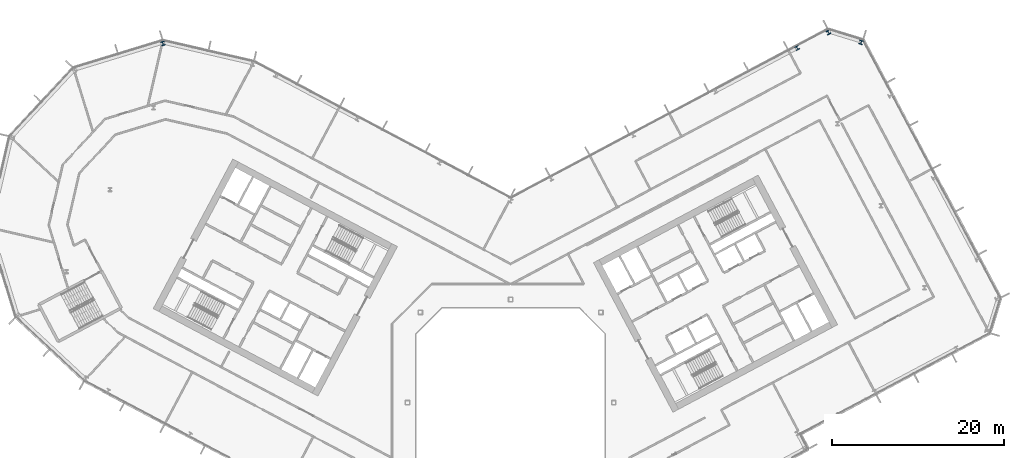
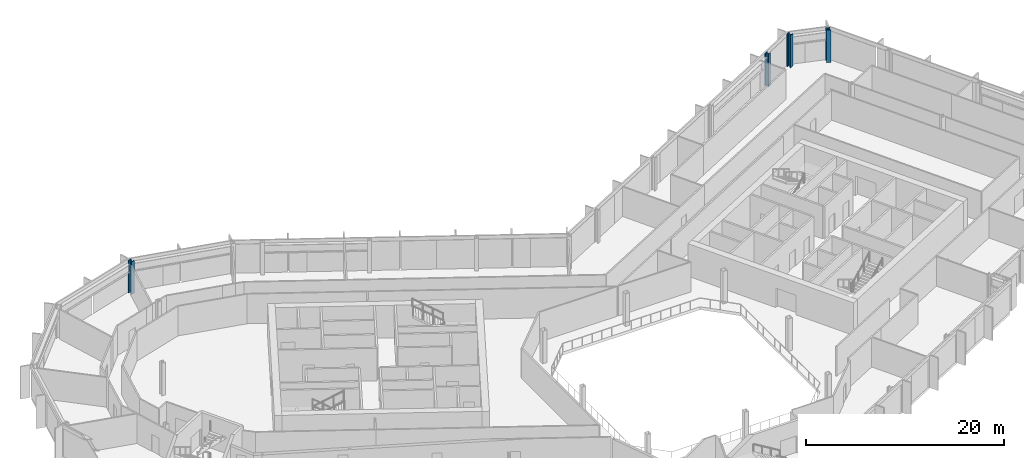
# One storey, part 8 of 28: 4 columns.
"""IFC4 building model written with IfcOpenShell, lengths in metres."""

import ifcopenshell
import ifcopenshell.guid

model = None  # the IFC model being written
_history = None  # IfcOwnerHistory: only IFC2X3 demands one
_inside = {}  # id of a spatial element -> (the spatial element, [elements in it])
_under = {}  # id of a project, library or spatial element -> (it, [spatial elements below it])
_declared = {}  # id of a project -> (the project, [libraries it declares])
_typed = {}  # id of a type object -> (the type object, [elements of that type])
_made_of = {}  # id of a material, layer set ... -> (it, [elements and type objects made of it])


def new_model(schema):
    """Start an empty IFC model of exactly this schema.

    Asked for "IFC4X3", IfcOpenShell would pick the latest addendum, in which some entities
    have other attributes; the version numbers below select the first issue.
    IFC2X3 requires an IfcOwnerHistory on every rooted entity: one is made here for all.
    """
    global model, _history
    if schema == "IFC4X3":
        model = ifcopenshell.file(schema_version=(4, 3, 0, 0))
    else:
        model = ifcopenshell.file(schema=schema)
    _inside.clear()
    _under.clear()
    _declared.clear()
    _typed.clear()
    _made_of.clear()
    _history = None
    if model.schema == "IFC2X3":
        org = make("IfcOrganization", Name="unknown")
        user = make(
            "IfcPersonAndOrganization",
            ThePerson=make("IfcPerson", FamilyName="unknown"),
            TheOrganization=org,
        )
        app = make(
            "IfcApplication",
            ApplicationDeveloper=org,
            Version="unknown",
            ApplicationFullName="unknown",
            ApplicationIdentifier="unknown",
        )
        _history = make(
            "IfcOwnerHistory",
            OwningUser=user,
            OwningApplication=app,
            ChangeAction="ADDED",
            CreationDate=0,
        )
    return model


def make(cls, **values):
    """One entity of the class cls with the attributes given. An attribute that is None is left unset."""
    return model.create_entity(
        cls, **{name: value for name, value in values.items() if value is not None}
    )


def rooted(cls, **values):
    """An entity with a GlobalId (a new one), such as an element, a storey or a relation."""
    return make(cls, GlobalId=ifcopenshell.guid.new(), OwnerHistory=_history, **values)


def si_unit(unit_type, name, prefix=None):
    """IfcSIUnit, for example si_unit("LENGTHUNIT", "METRE", prefix="MILLI")."""
    return make("IfcSIUnit", UnitType=unit_type, Prefix=prefix, Name=name)


def assignment(units):
    """IfcUnitAssignment: the units of a project."""
    return None if units is None else make("IfcUnitAssignment", Units=units)


def point(xyz):
    """IfcCartesianPoint."""
    return None if xyz is None else make("IfcCartesianPoint", Coordinates=xyz)


def direction(xyz):
    """IfcDirection."""
    return None if xyz is None else make("IfcDirection", DirectionRatios=xyz)


def frame(location, z_axis=None, x_axis=None):
    """IfcAxis2Placement3D, a coordinate frame: its origin and axes. An axis left out is left unset."""
    return make(
        "IfcAxis2Placement3D",
        Location=point(location),
        Axis=direction(z_axis),
        RefDirection=direction(x_axis),
    )


def frame_2d(location, x_axis=None):
    """IfcAxis2Placement2D, a coordinate frame in the plane: its origin and x axis."""
    return make(
        "IfcAxis2Placement2D", Location=point(location), RefDirection=direction(x_axis)
    )


def origin():
    """The frame at (0, 0, 0) with its axes left unset."""
    return frame((0.0, 0.0, 0.0))


def origin_2d():
    """The frame at (0, 0) in the plane with its x axis left unset."""
    return frame_2d((0.0, 0.0))


def place(relative_to, where):
    """IfcLocalPlacement: puts the frame where relative to a parent placement (None: the world)."""
    return make(
        "IfcLocalPlacement", PlacementRelTo=relative_to, RelativePlacement=where
    )


def context(
    kind, dimensions, precision=None, world=None, true_north=None, identifier=None
):
    """IfcGeometricRepresentationContext, for example the 3D "Model" context."""
    return make(
        "IfcGeometricRepresentationContext",
        ContextIdentifier=identifier,
        ContextType=kind,
        CoordinateSpaceDimension=dimensions,
        Precision=precision,
        WorldCoordinateSystem=world,
        TrueNorth=true_north,
    )


def subcontext(parent, identifier, kind, view, scale=None):
    """IfcGeometricRepresentationSubContext, for example "Body" below "Model"."""
    return make(
        "IfcGeometricRepresentationSubContext",
        ContextIdentifier=identifier,
        ContextType=kind,
        ParentContext=parent,
        TargetScale=scale,
        TargetView=view,
    )


def project(units=None, contexts=None):
    """IfcProject with its units and contexts."""
    return rooted(
        "IfcProject",
        Name="project",
        RepresentationContexts=contexts,
        UnitsInContext=assignment(units),
    )


def spatial(cls, under=None, at=None, **own):
    """A site, building, storey or space (cls), placed at a placement, below another one or the project."""
    s = rooted(cls, ObjectPlacement=at, **own)
    if under is not None:
        _under.setdefault(under.id(), (under, []))[1].append(s)
    return s


def profile(cls, at=None, kind="AREA", **sizes):
    """A parametric profile (cls). Its sizes go by their IFC names, for example OverallWidth=200.0."""
    return make(cls, ProfileType=kind, Position=at, **sizes)


def i_section(**sizes):
    """IfcIShapeProfileDef."""
    return profile("IfcIShapeProfileDef", **sizes)


def extrude(swept, where, along, depth):
    """IfcExtrudedAreaSolid: the profile swept, set in the frame where, extruded along a direction by depth."""
    return make(
        "IfcExtrudedAreaSolid",
        SweptArea=swept,
        Position=where,
        ExtrudedDirection=direction(along),
        Depth=depth,
    )


def shape(context_of_items, identifier, shape_type, items):
    """IfcShapeRepresentation: the items that make up one representation, for example the "Body"."""
    return make(
        "IfcShapeRepresentation",
        ContextOfItems=context_of_items,
        RepresentationIdentifier=identifier,
        RepresentationType=shape_type,
        Items=items,
    )


def material(Name=None, Category=None):
    """IfcMaterial."""
    return make("IfcMaterial", Name=Name, Category=Category)


def material_profile(
    of_material, cross_section, Name=None, Category=None, Priority=None
):
    """IfcMaterialProfile: a cross section and its material."""
    return make(
        "IfcMaterialProfile",
        Name=Name,
        Material=of_material,
        Profile=cross_section,
        Priority=Priority,
        Category=Category,
    )


def profile_set(profiles, Name=None, composite=None):
    """IfcMaterialProfileSet."""
    return make(
        "IfcMaterialProfileSet",
        Name=Name,
        MaterialProfiles=profiles,
        CompositeProfile=composite,
    )


def made_of(thing, what):
    """Note that an element or type object is made of a material, layer set ...; save() writes the relation."""
    if what is not None:
        _made_of.setdefault(what.id(), (what, []))[1].append(thing)
    return thing


def type_object(cls, material=None, **own):
    """A type object (cls), such as IfcWallType, which elements share."""
    return made_of(rooted(cls, **own), material)


def element(
    cls,
    number,
    at=None,
    inside=None,
    cuts=None,
    type_object=None,
    material=None,
    context=None,
    identifier="Body",
    shape_type=None,
    held_by="IfcProductDefinitionShape",
    body=None,
    shapes=None,
    **own,
):
    """One element of the class cls, such as IfcWall. Its Tag is "e" and its number.

    at: its placement. inside: the storey or other place that contains it. cuts: it is an
    opening in that element (IfcRelVoidsElement). A single representation is given by context,
    identifier, shape_type and body (its items); several are given by shapes. held_by: the class
    of the entity that holds the representations. save() writes the other relations.
    """
    e = rooted(cls, Tag="e%d" % number, ObjectPlacement=at, **own)
    if body is not None:
        shapes = [shape(context, identifier, shape_type, body)]
    if shapes is not None:
        e.Representation = make(held_by, Representations=shapes)
    if inside is not None:
        _inside.setdefault(inside.id(), (inside, []))[1].append(e)
    if cuts is not None:
        rooted(
            "IfcRelVoidsElement", RelatingBuildingElement=cuts, RelatedOpeningElement=e
        )
    if type_object is not None:
        _typed.setdefault(type_object.id(), (type_object, []))[1].append(e)
    return made_of(e, material)


def aggregate(whole, parts):
    """IfcRelAggregates: a whole, such as a stair, and the parts it consists of."""
    return rooted("IfcRelAggregates", RelatingObject=whole, RelatedObjects=parts)


def save(model, path):
    """Write the relations noted so far, then the file.

    IfcRelAggregates (storeys below a building ...), IfcRelContainedInSpatialStructure (elements
    in a storey), IfcRelDefinesByType, IfcRelAssociatesMaterial and IfcRelDeclares: one each for
    every whole, place, type object, material and project.
    """
    for whole, parts in _under.values():
        aggregate(whole, parts)
    for where, things in _inside.values():
        rooted(
            "IfcRelContainedInSpatialStructure",
            RelatedElements=things,
            RelatingStructure=where,
        )
    for kind, things in _typed.values():
        rooted("IfcRelDefinesByType", RelatedObjects=things, RelatingType=kind)
    for what, things in _made_of.values():
        rooted("IfcRelAssociatesMaterial", RelatedObjects=things, RelatingMaterial=what)
    for by, libraries in _declared.values():
        rooted("IfcRelDeclares", RelatingContext=by, RelatedDefinitions=libraries)
    model.write(path)


model = new_model("IFC4")

# Units and contexts
model_context = context("Model", 3, precision=1e-05, world=origin(), true_north=direction((0.0, 1.0)))
body_context = subcontext(model_context, "Body", "Model", "MODEL_VIEW")
ifc_project = project(units=[si_unit("LENGTHUNIT", "METRE"), si_unit("AREAUNIT", "SQUARE_METRE"), si_unit("VOLUMEUNIT", "CUBIC_METRE"), si_unit("PLANEANGLEUNIT", "RADIAN"), si_unit("MASSUNIT", "GRAM", prefix="KILO")], contexts=[model_context])

# Site, building, storey
site_placement = place(None, origin())
site = spatial("IfcSite", under=ifc_project, at=site_placement, CompositionType="ELEMENT")
building_placement = place(site_placement, origin())
building = spatial("IfcBuilding", under=site, at=building_placement, Name="Cormorant Relay Tower", CompositionType="ELEMENT")
storey_placement = place(building_placement, frame((0.0, 0.0, 134.199951171875)))
storey = spatial("IfcBuildingStorey", under=building, at=storey_placement, Name="L27", CompositionType="ELEMENT", Elevation=134.199951171875)

# Columns
ifc_material_1 = material(Name="Steel ASTM A992 (Fy 345 MPa)", Category="steel")
ifc_material_profile_1 = material_profile(ifc_material_1, i_section(OverallWidth=0.41162109375, OverallDepth=0.434326171875, WebThickness=0.035888671875, FlangeThickness=0.057373046875, FilletRadius=0.01513671875, at=origin_2d()), Name="W360x463")
ifc_profile_set_1 = profile_set([ifc_material_profile_1], Name="Steel ASTM A992 (Fy 345 MPa)")
column_type_1 = type_object("IfcColumnType", Name="Column W360x463", PredefinedType="COLUMN", material=ifc_profile_set_1)
column_placement = place(storey_placement, frame((33.33203125, 41.258056640625, 0.0), z_axis=(0.0, 0.0, 1.0), x_axis=(-0.882947592859, -0.469471562786, 0.0)))
element("IfcColumn", 1, at=column_placement, inside=storey, type_object=column_type_1, Name="Column L27-047", PredefinedType="COLUMN", context=body_context, shape_type="SweptSolid", body=[
    extrude(i_section(OverallWidth=0.41162109375, OverallDepth=0.434326171875, WebThickness=0.035888671875, FlangeThickness=0.057373046875, FilletRadius=0.01513671875, at=origin_2d()), origin(), (0.0, 0.0, 1.0), 4.0),
])
ifc_material_2 = material(Name="Steel ASTM A992 (Fy 345 MPa)", Category="steel")
ifc_material_profile_2 = material_profile(ifc_material_2, i_section(OverallWidth=0.42431640625, OverallDepth=0.47509765625, WebThickness=0.0478515625, FlangeThickness=0.0771484375, FilletRadius=0.014892578125, at=origin_2d()), Name="W360x634")
ifc_profile_set_2 = profile_set([ifc_material_profile_2], Name="Steel ASTM A992 (Fy 345 MPa)")
column_type_2 = type_object("IfcColumnType", Name="Column W360x634", PredefinedType="COLUMN", material=ifc_profile_set_2)
for number, where, z_axis, x_axis, name in (
    (2, (-40.4541015625, 41.783935546875, 0.0), (0.0, 0.0, 1.0), (-0.956304755963, -0.292371704723, 0.0), "Column L27-048"),
    (3, (40.77197265625, 41.9130859375, 0.0), (0.0, 0.0, 1.0), (-0.956304755963, 0.292371704723, 0.0), "Column L27-049"),
    (4, (36.970947265625, 43.075927734375, 0.0), (0.0, 0.0, 1.0), (-0.882947592859, -0.469471562786, 0.0), "Column L27-050"),
):
    element("IfcColumn", number, at=place(storey_placement, frame(where, z_axis=z_axis, x_axis=x_axis)), inside=storey, type_object=column_type_2, Name=name, PredefinedType="COLUMN", context=body_context, shape_type="SweptSolid", body=[
        extrude(i_section(OverallWidth=0.42431640625, OverallDepth=0.47509765625, WebThickness=0.0478515625, FlangeThickness=0.0771484375, FilletRadius=0.014892578125, at=origin_2d()), origin(), (0.0, 0.0, 1.0), 4.0),
    ])

save(model, "model.ifc")
